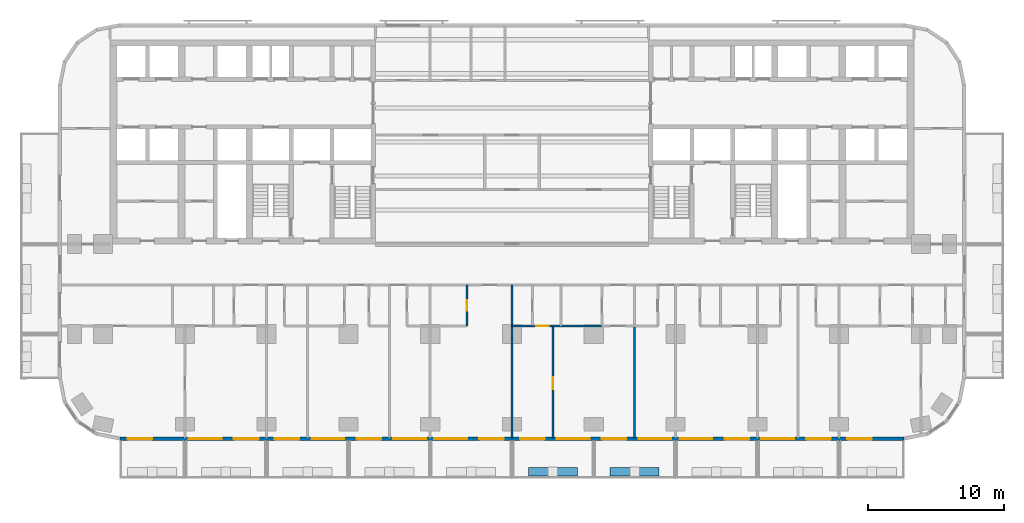
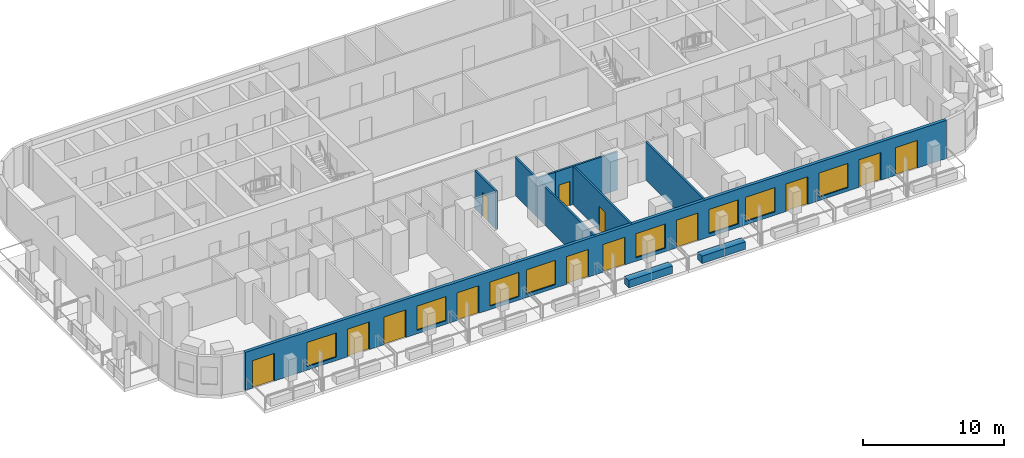
# One storey, part 5 of 15: 13 doors, 10 walls, 8 windows, 21 openings.
"""IFC4 building model written with IfcOpenShell, lengths in metres."""

from ifc_helpers import new_model, si_unit, direction, frame, frame_2d, origin, place, context, subcontext, project, spatial, rectangle, extrude, material, layer, layer_set, type_object, element, fill, save


model = new_model("IFC4")

# Units and contexts
model_context = context("Model", 3, precision=1e-05, world=origin(), true_north=direction((0.0, 1.0)))
body_context = subcontext(model_context, "Body", "Model", "MODEL_VIEW")
ifc_project = project(units=[si_unit("LENGTHUNIT", "METRE"), si_unit("AREAUNIT", "SQUARE_METRE"), si_unit("VOLUMEUNIT", "CUBIC_METRE"), si_unit("PLANEANGLEUNIT", "RADIAN"), si_unit("MASSUNIT", "GRAM", prefix="KILO")], contexts=[model_context])

# Site, building, storey
site_placement = place(None, origin())
site = spatial("IfcSite", under=ifc_project, at=site_placement, CompositionType="ELEMENT")
building_placement = place(site_placement, origin())
building = spatial("IfcBuilding", under=site, at=building_placement, Name="Torana Hotel and Residences", CompositionType="ELEMENT")
storey_placement = place(building_placement, frame((0.0, 0.0, 67.199951171875)))
storey = spatial("IfcBuildingStorey", under=building, at=storey_placement, Name="L16", CompositionType="ELEMENT", Elevation=67.199951171875)

# Wall, openings, doors, windows
ifc_material_1 = material(Name="Black aluminium composite panel", Category="aluminium")
ifc_layer_1 = layer(ifc_material_1, 0.00390625, Name="Cladding", Category="cladding")
ifc_material_2 = material(Name="Ventilated air cavity")
ifc_layer_2 = layer(ifc_material_2, 0.0400390625, Name="Ventilated cavity", Category="cavity")
ifc_material_3 = material(Name="Mineral wool insulation")
ifc_layer_3 = layer(ifc_material_3, 0.090087890625, Name="Insulation", Category="insulation")
ifc_material_4 = material(Name="Steel S280GD", Category="steel")
ifc_layer_4 = layer(ifc_material_4, 0.092041015625, Name="Steel stud frame", Category="structure")
ifc_material_5 = material(Name="Fire rated plasterboard")
ifc_layer_5 = layer(ifc_material_5, 0.011962890625, Name="Inner board", Category="finish")
ifc_layer_6 = layer(ifc_material_5, 0.011962890625, Name="Second board", Category="finish")
ifc_layer_set_1 = layer_set([ifc_layer_1, ifc_layer_2, ifc_layer_3, ifc_layer_4, ifc_layer_5, ifc_layer_6], Name="EW1 EXTERNAL WALL BLACK METAL CLAD 250")
wall_type_1 = type_object("IfcWallType", Name="EW1 EXTERNAL WALL BLACK METAL CLAD 250", PredefinedType="SOLIDWALL", material=ifc_layer_set_1)
wall_1_placement = place(storey_placement, frame((-28.775390625, -29.27490234375, 0.0), z_axis=(0.0, 0.0, 1.0), x_axis=(1.0, 0.0, 0.0)))
wall_1 = element("IfcWall", 1, at=wall_1_placement, inside=storey, type_object=wall_type_1, Name="External wall L16 e0.14", PredefinedType="SOLIDWALL", context=body_context, shape_type="SweptSolid", body=[
    extrude(rectangle(XDim=57.55078125, YDim=0.25, at=frame_2d((28.775390625, 0.0))), origin(), (0.0, 0.0, 1.0), 3.320068359375),
])
opening_1_placement = place(wall_1_placement, frame((0.575439453125, 0.0, 0.0)))
opening_1 = element("IfcOpeningElement", 2, at=opening_1_placement, cuts=wall_1, Name="Opening L16-E01", PredefinedType="OPENING", context=body_context, shape_type="SweptSolid", body=[
    extrude(rectangle(XDim=1.800048828125, YDim=2.39990234375, at=frame_2d((0.89990234375, 1.199951171875))), frame((0.0, 0.135009765625, 0.0), z_axis=(0.0, -1.0, 0.0), x_axis=(1.0, 0.0, 0.0)), (0.0, 0.0, 1.0), 0.27001953125),
])
opening_2_placement = place(wall_1_placement, frame((5.075439453125, 0.0, 0.300048828125)))
opening_2 = element("IfcOpeningElement", 3, at=opening_2_placement, cuts=wall_1, Name="Opening W1", PredefinedType="OPENING", context=body_context, shape_type="SweptSolid", body=[
    extrude(rectangle(XDim=2.39990234375, YDim=2.10009765625, at=frame_2d((1.199951171875, 1.050048828125))), frame((0.0, 0.135009765625, 0.0), z_axis=(0.0, -1.0, 0.0), x_axis=(1.0, 0.0, 0.0)), (0.0, 0.0, 1.0), 0.27001953125),
])
opening_3_placement = place(wall_1_placement, frame((8.37548828125, 0.0, 0.0)))
opening_3 = element("IfcOpeningElement", 4, at=opening_3_placement, cuts=wall_1, Name="Opening L16-E02", PredefinedType="OPENING", context=body_context, shape_type="SweptSolid", body=[
    extrude(rectangle(XDim=1.800048828125, YDim=2.39990234375, at=frame_2d((0.89990234375, 1.199951171875))), frame((0.0, 0.135009765625, 0.0), z_axis=(0.0, -1.0, 0.0), x_axis=(1.0, 0.0, 0.0)), (0.0, 0.0, 1.0), 0.27001953125),
])
opening_4_placement = place(wall_1_placement, frame((11.37548828125, 0.0, 0.0)))
opening_4 = element("IfcOpeningElement", 5, at=opening_4_placement, cuts=wall_1, Name="Opening L16-E03", PredefinedType="OPENING", context=body_context, shape_type="SweptSolid", body=[
    extrude(rectangle(XDim=1.800048828125, YDim=2.39990234375, at=frame_2d((0.89990234375, 1.199951171875))), frame((0.0, 0.135009765625, 0.0), z_axis=(0.0, -1.0, 0.0), x_axis=(1.0, 0.0, 0.0)), (0.0, 0.0, 1.0), 0.27001953125),
])
opening_5_placement = place(wall_1_placement, frame((14.075439453125, 0.0, 0.300048828125)))
opening_5 = element("IfcOpeningElement", 6, at=opening_5_placement, cuts=wall_1, Name="Opening W1", PredefinedType="OPENING", context=body_context, shape_type="SweptSolid", body=[
    extrude(rectangle(XDim=2.39990234375, YDim=2.10009765625, at=frame_2d((1.199951171875, 1.050048828125))), frame((0.0, 0.135009765625, 0.0), z_axis=(0.0, -1.0, 0.0), x_axis=(1.0, 0.0, 0.0)), (0.0, 0.0, 1.0), 0.27001953125),
])
opening_6_placement = place(wall_1_placement, frame((17.37548828125, 0.0, 0.0)))
opening_6 = element("IfcOpeningElement", 7, at=opening_6_placement, cuts=wall_1, Name="Opening L16-E04", PredefinedType="OPENING", context=body_context, shape_type="SweptSolid", body=[
    extrude(rectangle(XDim=1.800048828125, YDim=2.39990234375, at=frame_2d((0.89990234375, 1.199951171875))), frame((0.0, 0.135009765625, 0.0), z_axis=(0.0, -1.0, 0.0), x_axis=(1.0, 0.0, 0.0)), (0.0, 0.0, 1.0), 0.27001953125),
])
opening_7_placement = place(wall_1_placement, frame((20.075439453125, 0.0, 0.300048828125)))
opening_7 = element("IfcOpeningElement", 8, at=opening_7_placement, cuts=wall_1, Name="Opening W1", PredefinedType="OPENING", context=body_context, shape_type="SweptSolid", body=[
    extrude(rectangle(XDim=2.39990234375, YDim=2.10009765625, at=frame_2d((1.199951171875, 1.050048828125))), frame((0.0, 0.135009765625, 0.0), z_axis=(0.0, -1.0, 0.0), x_axis=(1.0, 0.0, 0.0)), (0.0, 0.0, 1.0), 0.27001953125),
])
opening_8_placement = place(wall_1_placement, frame((23.075439453125, 0.0, 0.300048828125)))
opening_8 = element("IfcOpeningElement", 9, at=opening_8_placement, cuts=wall_1, Name="Opening W1", PredefinedType="OPENING", context=body_context, shape_type="SweptSolid", body=[
    extrude(rectangle(XDim=2.39990234375, YDim=2.10009765625, at=frame_2d((1.199951171875, 1.050048828125))), frame((0.0, 0.135009765625, 0.0), z_axis=(0.0, -1.0, 0.0), x_axis=(1.0, 0.0, 0.0)), (0.0, 0.0, 1.0), 0.27001953125),
])
opening_9_placement = place(wall_1_placement, frame((26.37548828125, 0.0, 0.0)))
opening_9 = element("IfcOpeningElement", 10, at=opening_9_placement, cuts=wall_1, Name="Opening L16-E05", PredefinedType="OPENING", context=body_context, shape_type="SweptSolid", body=[
    extrude(rectangle(XDim=1.800048828125, YDim=2.39990234375, at=frame_2d((0.89990234375, 1.199951171875))), frame((0.0, 0.135009765625, 0.0), z_axis=(0.0, -1.0, 0.0), x_axis=(1.0, 0.0, 0.0)), (0.0, 0.0, 1.0), 0.27001953125),
])
opening_10_placement = place(wall_1_placement, frame((29.37548828125, 0.0, 0.0)))
opening_10 = element("IfcOpeningElement", 11, at=opening_10_placement, cuts=wall_1, Name="Opening L16-E06", PredefinedType="OPENING", context=body_context, shape_type="SweptSolid", body=[
    extrude(rectangle(XDim=1.800048828125, YDim=2.39990234375, at=frame_2d((0.89990234375, 1.199951171875))), frame((0.0, 0.135009765625, 0.0), z_axis=(0.0, -1.0, 0.0), x_axis=(1.0, 0.0, 0.0)), (0.0, 0.0, 1.0), 0.27001953125),
])
opening_11_placement = place(wall_1_placement, frame((32.075439453125, 0.0, 0.300048828125)))
opening_11 = element("IfcOpeningElement", 12, at=opening_11_placement, cuts=wall_1, Name="Opening W1", PredefinedType="OPENING", context=body_context, shape_type="SweptSolid", body=[
    extrude(rectangle(XDim=2.39990234375, YDim=2.10009765625, at=frame_2d((1.199951171875, 1.050048828125))), frame((0.0, 0.135009765625, 0.0), z_axis=(0.0, -1.0, 0.0), x_axis=(1.0, 0.0, 0.0)), (0.0, 0.0, 1.0), 0.27001953125),
])
opening_12_placement = place(wall_1_placement, frame((35.37548828125, 0.0, 0.0)))
opening_12 = element("IfcOpeningElement", 13, at=opening_12_placement, cuts=wall_1, Name="Opening L16-E07", PredefinedType="OPENING", context=body_context, shape_type="SweptSolid", body=[
    extrude(rectangle(XDim=1.800048828125, YDim=2.39990234375, at=frame_2d((0.89990234375, 1.199951171875))), frame((0.0, 0.135009765625, 0.0), z_axis=(0.0, -1.0, 0.0), x_axis=(1.0, 0.0, 0.0)), (0.0, 0.0, 1.0), 0.27001953125),
])
opening_13_placement = place(wall_1_placement, frame((38.075439453125, 0.0, 0.300048828125)))
opening_13 = element("IfcOpeningElement", 14, at=opening_13_placement, cuts=wall_1, Name="Opening W1", PredefinedType="OPENING", context=body_context, shape_type="SweptSolid", body=[
    extrude(rectangle(XDim=2.39990234375, YDim=2.10009765625, at=frame_2d((1.199951171875, 1.050048828125))), frame((0.0, 0.135009765625, 0.0), z_axis=(0.0, -1.0, 0.0), x_axis=(1.0, 0.0, 0.0)), (0.0, 0.0, 1.0), 0.27001953125),
])
opening_14_placement = place(wall_1_placement, frame((41.075439453125, 0.0, 0.300048828125)))
opening_14 = element("IfcOpeningElement", 15, at=opening_14_placement, cuts=wall_1, Name="Opening W1", PredefinedType="OPENING", context=body_context, shape_type="SweptSolid", body=[
    extrude(rectangle(XDim=2.39990234375, YDim=2.10009765625, at=frame_2d((1.199951171875, 1.050048828125))), frame((0.0, 0.135009765625, 0.0), z_axis=(0.0, -1.0, 0.0), x_axis=(1.0, 0.0, 0.0)), (0.0, 0.0, 1.0), 0.27001953125),
])
opening_15_placement = place(wall_1_placement, frame((44.37548828125, 0.0, 0.0)))
opening_15 = element("IfcOpeningElement", 16, at=opening_15_placement, cuts=wall_1, Name="Opening L16-E08", PredefinedType="OPENING", context=body_context, shape_type="SweptSolid", body=[
    extrude(rectangle(XDim=1.800048828125, YDim=2.39990234375, at=frame_2d((0.89990234375, 1.199951171875))), frame((0.0, 0.135009765625, 0.0), z_axis=(0.0, -1.0, 0.0), x_axis=(1.0, 0.0, 0.0)), (0.0, 0.0, 1.0), 0.27001953125),
])
opening_16_placement = place(wall_1_placement, frame((47.075439453125, 0.0, 0.300048828125)))
opening_16 = element("IfcOpeningElement", 17, at=opening_16_placement, cuts=wall_1, Name="Opening W1", PredefinedType="OPENING", context=body_context, shape_type="SweptSolid", body=[
    extrude(rectangle(XDim=2.39990234375, YDim=2.10009765625, at=frame_2d((1.199951171875, 1.050048828125))), frame((0.0, 0.135009765625, 0.0), z_axis=(0.0, -1.0, 0.0), x_axis=(1.0, 0.0, 0.0)), (0.0, 0.0, 1.0), 0.27001953125),
])
opening_17_placement = place(wall_1_placement, frame((50.37548828125, 0.0, 0.0)))
opening_17 = element("IfcOpeningElement", 18, at=opening_17_placement, cuts=wall_1, Name="Opening L16-E09", PredefinedType="OPENING", context=body_context, shape_type="SweptSolid", body=[
    extrude(rectangle(XDim=1.800048828125, YDim=2.39990234375, at=frame_2d((0.89990234375, 1.199951171875))), frame((0.0, 0.135009765625, 0.0), z_axis=(0.0, -1.0, 0.0), x_axis=(1.0, 0.0, 0.0)), (0.0, 0.0, 1.0), 0.27001953125),
])
opening_18_placement = place(wall_1_placement, frame((53.37548828125, 0.0, 0.0)))
opening_18 = element("IfcOpeningElement", 19, at=opening_18_placement, cuts=wall_1, Name="Opening L16-E10", PredefinedType="OPENING", context=body_context, shape_type="SweptSolid", body=[
    extrude(rectangle(XDim=1.800048828125, YDim=2.39990234375, at=frame_2d((0.89990234375, 1.199951171875))), frame((0.0, 0.135009765625, 0.0), z_axis=(0.0, -1.0, 0.0), x_axis=(1.0, 0.0, 0.0)), (0.0, 0.0, 1.0), 0.27001953125),
])
ifc_material_6 = material(Name="Dark glass in black aluminium frame", Category="aluminium")
door_type_1 = type_object("IfcDoorType", Name="DB1 BALCONY DOOR 1800x2400", OperationType="DOUBLE_DOOR_SINGLE_SWING", PredefinedType="DOOR", material=ifc_material_6)
door_1_placement = place(opening_1_placement, origin())
door_1 = element("IfcDoor", 20, at=door_1_placement, inside=storey, type_object=door_type_1, Name="Balcony door L16", OperationType="DOUBLE_DOOR_SINGLE_SWING", OverallHeight=2.39990234375, OverallWidth=1.800048828125, PredefinedType="DOOR", context=body_context, shape_type="SweptSolid", body=[
    extrude(rectangle(XDim=1.800048828125, YDim=2.39990234375, at=frame_2d((0.89990234375, 1.199951171875))), frame((0.0, 0.02490234375, 0.0), z_axis=(0.0, -1.0, 0.0), x_axis=(1.0, 0.0, 0.0)), (0.0, 0.0, 1.0), 0.050048828125),
])
fill(opening_1, door_1)
door_2_placement = place(opening_3_placement, frame((0.89990234375, 0.0, 0.0), z_axis=(0.0, 0.0, 1.0), x_axis=(-1.0, 0.0, 0.0)))
door_2 = element("IfcDoor", 21, at=door_2_placement, inside=storey, type_object=door_type_1, Name="Balcony door L16", OperationType="DOUBLE_DOOR_SINGLE_SWING", OverallHeight=2.39990234375, OverallWidth=1.800048828125, PredefinedType="DOOR", context=body_context, shape_type="SweptSolid", body=[
    extrude(rectangle(XDim=1.800048828125, YDim=2.39990234375, at=frame_2d((0.0, 1.199951171875))), frame((0.0, -0.02490234375, 0.0), z_axis=(0.0, 1.0, 0.0), x_axis=(-1.0, 0.0, 0.0)), (0.0, 0.0, 1.0), 0.050048828125),
])
fill(opening_3, door_2)
door_3_placement = place(opening_4_placement, frame((0.89990234375, 0.0, 0.0), z_axis=(0.0, 0.0, 1.0), x_axis=(-1.0, 0.0, 0.0)))
door_3 = element("IfcDoor", 22, at=door_3_placement, inside=storey, type_object=door_type_1, Name="Balcony door L16", OperationType="DOUBLE_DOOR_SINGLE_SWING", OverallHeight=2.39990234375, OverallWidth=1.800048828125, PredefinedType="DOOR", context=body_context, shape_type="SweptSolid", body=[
    extrude(rectangle(XDim=1.800048828125, YDim=2.39990234375, at=frame_2d((0.0, 1.199951171875))), frame((0.0, -0.02490234375, 0.0), z_axis=(0.0, 1.0, 0.0), x_axis=(-1.0, 0.0, 0.0)), (0.0, 0.0, 1.0), 0.050048828125),
])
fill(opening_4, door_3)
door_4_placement = place(opening_6_placement, frame((0.89990234375, 0.0, 0.0), z_axis=(0.0, 0.0, 1.0), x_axis=(-1.0, 0.0, 0.0)))
door_4 = element("IfcDoor", 23, at=door_4_placement, inside=storey, type_object=door_type_1, Name="Balcony door L16", OperationType="DOUBLE_DOOR_SINGLE_SWING", OverallHeight=2.39990234375, OverallWidth=1.800048828125, PredefinedType="DOOR", context=body_context, shape_type="SweptSolid", body=[
    extrude(rectangle(XDim=1.800048828125, YDim=2.39990234375, at=frame_2d((0.0, 1.199951171875))), frame((0.0, -0.02490234375, 0.0), z_axis=(0.0, 1.0, 0.0), x_axis=(-1.0, 0.0, 0.0)), (0.0, 0.0, 1.0), 0.050048828125),
])
fill(opening_6, door_4)
door_5_placement = place(opening_9_placement, frame((0.89990234375, 0.0, 0.0), z_axis=(0.0, 0.0, 1.0), x_axis=(-1.0, 0.0, 0.0)))
door_5 = element("IfcDoor", 24, at=door_5_placement, inside=storey, type_object=door_type_1, Name="Balcony door L16", OperationType="DOUBLE_DOOR_SINGLE_SWING", OverallHeight=2.39990234375, OverallWidth=1.800048828125, PredefinedType="DOOR", context=body_context, shape_type="SweptSolid", body=[
    extrude(rectangle(XDim=1.800048828125, YDim=2.39990234375, at=frame_2d((0.0, 1.199951171875))), frame((0.0, -0.02490234375, 0.0), z_axis=(0.0, 1.0, 0.0), x_axis=(-1.0, 0.0, 0.0)), (0.0, 0.0, 1.0), 0.050048828125),
])
fill(opening_9, door_5)
door_6_placement = place(opening_10_placement, frame((0.89990234375, 0.0, 0.0), z_axis=(0.0, 0.0, 1.0), x_axis=(-1.0, 0.0, 0.0)))
door_6 = element("IfcDoor", 25, at=door_6_placement, inside=storey, type_object=door_type_1, Name="Balcony door L16", OperationType="DOUBLE_DOOR_SINGLE_SWING", OverallHeight=2.39990234375, OverallWidth=1.800048828125, PredefinedType="DOOR", context=body_context, shape_type="SweptSolid", body=[
    extrude(rectangle(XDim=1.800048828125, YDim=2.39990234375, at=frame_2d((0.0, 1.199951171875))), frame((0.0, -0.02490234375, 0.0), z_axis=(0.0, 1.0, 0.0), x_axis=(-1.0, 0.0, 0.0)), (0.0, 0.0, 1.0), 0.050048828125),
])
fill(opening_10, door_6)
door_7_placement = place(opening_12_placement, frame((0.89990234375, 0.0, 0.0), z_axis=(0.0, 0.0, 1.0), x_axis=(-1.0, 0.0, 0.0)))
door_7 = element("IfcDoor", 26, at=door_7_placement, inside=storey, type_object=door_type_1, Name="Balcony door L16", OperationType="DOUBLE_DOOR_SINGLE_SWING", OverallHeight=2.39990234375, OverallWidth=1.800048828125, PredefinedType="DOOR", context=body_context, shape_type="SweptSolid", body=[
    extrude(rectangle(XDim=1.800048828125, YDim=2.39990234375, at=frame_2d((0.0, 1.199951171875))), frame((0.0, -0.02490234375, 0.0), z_axis=(0.0, 1.0, 0.0), x_axis=(-1.0, 0.0, 0.0)), (0.0, 0.0, 1.0), 0.050048828125),
])
fill(opening_12, door_7)
door_8_placement = place(opening_15_placement, frame((0.89990234375, 0.0, 0.0), z_axis=(0.0, 0.0, 1.0), x_axis=(-1.0, 0.0, 0.0)))
door_8 = element("IfcDoor", 27, at=door_8_placement, inside=storey, type_object=door_type_1, Name="Balcony door L16", OperationType="DOUBLE_DOOR_SINGLE_SWING", OverallHeight=2.39990234375, OverallWidth=1.800048828125, PredefinedType="DOOR", context=body_context, shape_type="SweptSolid", body=[
    extrude(rectangle(XDim=1.800048828125, YDim=2.39990234375, at=frame_2d((0.0, 1.199951171875))), frame((0.0, -0.02490234375, 0.0), z_axis=(0.0, 1.0, 0.0), x_axis=(-1.0, 0.0, 0.0)), (0.0, 0.0, 1.0), 0.050048828125),
])
fill(opening_15, door_8)
door_9_placement = place(opening_17_placement, frame((0.89990234375, 0.0, 0.0), z_axis=(0.0, 0.0, 1.0), x_axis=(-1.0, 0.0, 0.0)))
door_9 = element("IfcDoor", 28, at=door_9_placement, inside=storey, type_object=door_type_1, Name="Balcony door L16", OperationType="DOUBLE_DOOR_SINGLE_SWING", OverallHeight=2.39990234375, OverallWidth=1.800048828125, PredefinedType="DOOR", context=body_context, shape_type="SweptSolid", body=[
    extrude(rectangle(XDim=1.800048828125, YDim=2.39990234375, at=frame_2d((0.0, 1.199951171875))), frame((0.0, -0.02490234375, 0.0), z_axis=(0.0, 1.0, 0.0), x_axis=(-1.0, 0.0, 0.0)), (0.0, 0.0, 1.0), 0.050048828125),
])
fill(opening_17, door_9)
door_10_placement = place(opening_18_placement, frame((0.89990234375, 0.0, 0.0), z_axis=(0.0, 0.0, 1.0), x_axis=(-1.0, 0.0, 0.0)))
door_10 = element("IfcDoor", 29, at=door_10_placement, inside=storey, type_object=door_type_1, Name="Balcony door L16", OperationType="DOUBLE_DOOR_SINGLE_SWING", OverallHeight=2.39990234375, OverallWidth=1.800048828125, PredefinedType="DOOR", context=body_context, shape_type="SweptSolid", body=[
    extrude(rectangle(XDim=1.800048828125, YDim=2.39990234375, at=frame_2d((0.0, 1.199951171875))), frame((0.0, -0.02490234375, 0.0), z_axis=(0.0, 1.0, 0.0), x_axis=(-1.0, 0.0, 0.0)), (0.0, 0.0, 1.0), 0.050048828125),
])
fill(opening_18, door_10)
ifc_material_7 = material(Name="Dark glass in black aluminium frame", Category="aluminium")
window_type = type_object("IfcWindowType", Name="W1 HOTEL ROOM WINDOW 2400x2100", PartitioningType="SINGLE_PANEL", PredefinedType="WINDOW", material=ifc_material_7)
window_1_placement = place(opening_2_placement, origin())
window_1 = element("IfcWindow", 30, at=window_1_placement, inside=storey, type_object=window_type, Name="Window L16", OverallHeight=2.10009765625, OverallWidth=2.39990234375, PartitioningType="SINGLE_PANEL", PredefinedType="WINDOW", context=body_context, shape_type="SweptSolid", body=[
    extrude(rectangle(XDim=2.39990234375, YDim=2.10009765625, at=frame_2d((1.199951171875, 1.050048828125))), frame((0.0, 0.030029296875, 0.0), z_axis=(0.0, -1.0, 0.0), x_axis=(1.0, 0.0, 0.0)), (0.0, 0.0, 1.0), 0.06005859375),
])
fill(opening_2, window_1)
window_2_placement = place(opening_5_placement, origin())
window_2 = element("IfcWindow", 31, at=window_2_placement, inside=storey, type_object=window_type, Name="Window L16", OverallHeight=2.10009765625, OverallWidth=2.39990234375, PartitioningType="SINGLE_PANEL", PredefinedType="WINDOW", context=body_context, shape_type="SweptSolid", body=[
    extrude(rectangle(XDim=2.39990234375, YDim=2.10009765625, at=frame_2d((1.199951171875, 1.050048828125))), frame((0.0, 0.030029296875, 0.0), z_axis=(0.0, -1.0, 0.0), x_axis=(1.0, 0.0, 0.0)), (0.0, 0.0, 1.0), 0.06005859375),
])
fill(opening_5, window_2)
window_3_placement = place(opening_7_placement, origin())
window_3 = element("IfcWindow", 32, at=window_3_placement, inside=storey, type_object=window_type, Name="Window L16", OverallHeight=2.10009765625, OverallWidth=2.39990234375, PartitioningType="SINGLE_PANEL", PredefinedType="WINDOW", context=body_context, shape_type="SweptSolid", body=[
    extrude(rectangle(XDim=2.39990234375, YDim=2.10009765625, at=frame_2d((1.199951171875, 1.050048828125))), frame((0.0, 0.030029296875, 0.0), z_axis=(0.0, -1.0, 0.0), x_axis=(1.0, 0.0, 0.0)), (0.0, 0.0, 1.0), 0.06005859375),
])
fill(opening_7, window_3)
window_4_placement = place(opening_8_placement, origin())
window_4 = element("IfcWindow", 33, at=window_4_placement, inside=storey, type_object=window_type, Name="Window L16", OverallHeight=2.10009765625, OverallWidth=2.39990234375, PartitioningType="SINGLE_PANEL", PredefinedType="WINDOW", context=body_context, shape_type="SweptSolid", body=[
    extrude(rectangle(XDim=2.39990234375, YDim=2.10009765625, at=frame_2d((1.199951171875, 1.050048828125))), frame((0.0, 0.030029296875, 0.0), z_axis=(0.0, -1.0, 0.0), x_axis=(1.0, 0.0, 0.0)), (0.0, 0.0, 1.0), 0.06005859375),
])
fill(opening_8, window_4)
window_5_placement = place(opening_11_placement, origin())
window_5 = element("IfcWindow", 34, at=window_5_placement, inside=storey, type_object=window_type, Name="Window L16", OverallHeight=2.10009765625, OverallWidth=2.39990234375, PartitioningType="SINGLE_PANEL", PredefinedType="WINDOW", context=body_context, shape_type="SweptSolid", body=[
    extrude(rectangle(XDim=2.39990234375, YDim=2.10009765625, at=frame_2d((1.199951171875, 1.050048828125))), frame((0.0, 0.030029296875, 0.0), z_axis=(0.0, -1.0, 0.0), x_axis=(1.0, 0.0, 0.0)), (0.0, 0.0, 1.0), 0.06005859375),
])
fill(opening_11, window_5)
window_6_placement = place(opening_13_placement, origin())
window_6 = element("IfcWindow", 35, at=window_6_placement, inside=storey, type_object=window_type, Name="Window L16", OverallHeight=2.10009765625, OverallWidth=2.39990234375, PartitioningType="SINGLE_PANEL", PredefinedType="WINDOW", context=body_context, shape_type="SweptSolid", body=[
    extrude(rectangle(XDim=2.39990234375, YDim=2.10009765625, at=frame_2d((1.199951171875, 1.050048828125))), frame((0.0, 0.030029296875, 0.0), z_axis=(0.0, -1.0, 0.0), x_axis=(1.0, 0.0, 0.0)), (0.0, 0.0, 1.0), 0.06005859375),
])
fill(opening_13, window_6)
window_7_placement = place(opening_14_placement, origin())
window_7 = element("IfcWindow", 36, at=window_7_placement, inside=storey, type_object=window_type, Name="Window L16", OverallHeight=2.10009765625, OverallWidth=2.39990234375, PartitioningType="SINGLE_PANEL", PredefinedType="WINDOW", context=body_context, shape_type="SweptSolid", body=[
    extrude(rectangle(XDim=2.39990234375, YDim=2.10009765625, at=frame_2d((1.199951171875, 1.050048828125))), frame((0.0, 0.030029296875, 0.0), z_axis=(0.0, -1.0, 0.0), x_axis=(1.0, 0.0, 0.0)), (0.0, 0.0, 1.0), 0.06005859375),
])
fill(opening_14, window_7)
window_8_placement = place(opening_16_placement, origin())
window_8 = element("IfcWindow", 37, at=window_8_placement, inside=storey, type_object=window_type, Name="Window L16", OverallHeight=2.10009765625, OverallWidth=2.39990234375, PartitioningType="SINGLE_PANEL", PredefinedType="WINDOW", context=body_context, shape_type="SweptSolid", body=[
    extrude(rectangle(XDim=2.39990234375, YDim=2.10009765625, at=frame_2d((1.199951171875, 1.050048828125))), frame((0.0, 0.030029296875, 0.0), z_axis=(0.0, -1.0, 0.0), x_axis=(1.0, 0.0, 0.0)), (0.0, 0.0, 1.0), 0.06005859375),
])
fill(opening_16, window_8)

# Wall
ifc_material_8 = material(Name="Gypsum plasterboard")
ifc_layer_7 = layer(ifc_material_8, 0.012451171875, Name="Plasterboard", Category="finish")
ifc_layer_8 = layer(ifc_material_8, 0.012451171875, Name="Plasterboard", Category="finish")
ifc_layer_9 = layer(ifc_material_4, 0.10009765625, Name="Steel studs with mineral wool", Category="insulation")
ifc_layer_10 = layer(ifc_material_8, 0.012451171875, Name="Plasterboard", Category="finish")
ifc_layer_11 = layer(ifc_material_8, 0.012451171875, Name="Plasterboard", Category="finish")
ifc_layer_set_2 = layer_set([ifc_layer_7, ifc_layer_8, ifc_layer_9, ifc_layer_10, ifc_layer_11], Name="PARTITION 150 PLASTERBOARD")
wall_type_2 = type_object("IfcWallType", Name="PARTITION 150 PLASTERBOARD", PredefinedType="PARTITIONING", material=ifc_layer_set_2)
wall_2_placement = place(storey_placement, frame((9.0, -29.219970703125, 0.0), z_axis=(0.0, 0.0, 1.0), x_axis=(0.0, 1.0, 0.0)))
element("IfcWall", 38, at=wall_2_placement, inside=storey, type_object=wall_type_2, Name="Partition L16", PredefinedType="PARTITIONING", context=body_context, shape_type="SweptSolid", body=[
    extrude(rectangle(XDim=8.219970703125, YDim=0.14990234375, at=frame_2d((4.10986328125, 0.0))), origin(), (0.0, 0.0, 1.0), 3.320068359375),
])

# Wall, opening, door
wall_3_placement = place(storey_placement, frame((3.0, -29.219970703125, 0.0), z_axis=(0.0, 0.0, 1.0), x_axis=(0.0, 1.0, 0.0)))
wall_3 = element("IfcWall", 39, at=wall_3_placement, inside=storey, type_object=wall_type_2, Name="Partition L16", PredefinedType="PARTITIONING", context=body_context, shape_type="SweptSolid", body=[
    extrude(rectangle(XDim=8.219970703125, YDim=0.14990234375, at=frame_2d((4.10986328125, 0.0))), origin(), (0.0, 0.0, 1.0), 3.320068359375),
])
opening_19_placement = place(wall_3_placement, frame((3.570068359375, 0.0, 0.0)))
opening_19 = element("IfcOpeningElement", 40, at=opening_19_placement, cuts=wall_3, Name="Opening L16-70", PredefinedType="OPENING", context=body_context, shape_type="SweptSolid", body=[
    extrude(rectangle(XDim=0.89990234375, YDim=2.10009765625, at=frame_2d((0.449951171875, 1.050048828125))), frame((0.0, 0.0849609375, 0.0), z_axis=(0.0, -1.0, 0.0), x_axis=(1.0, 0.0, 0.0)), (0.0, 0.0, 1.0), 0.169921875),
])
ifc_material_9 = material(Name="Timber door, oiled ash", Category="wood")
door_type_2 = type_object("IfcDoorType", Name="ROOM DOOR D7 900x2100", OperationType="SINGLE_SWING_LEFT", PredefinedType="DOOR", material=ifc_material_9)
door_11_placement = place(opening_19_placement, origin())
door_11 = element("IfcDoor", 41, at=door_11_placement, inside=storey, type_object=door_type_2, Name="Door L16", OperationType="SINGLE_SWING_RIGHT", OverallHeight=2.10009765625, OverallWidth=0.89990234375, PredefinedType="DOOR", context=body_context, shape_type="SweptSolid", body=[
    extrude(rectangle(XDim=0.89990234375, YDim=2.10009765625, at=frame_2d((0.449951171875, 1.050048828125))), frame((0.0, 0.02490234375, 0.0), z_axis=(0.0, -1.0, 0.0), x_axis=(1.0, 0.0, 0.0)), (0.0, 0.0, 1.0), 0.050048828125),
])
fill(opening_19, door_11)

# Wall
wall_4_placement = place(storey_placement, frame((0.0, -29.219970703125, 0.0), z_axis=(0.0, 0.0, 1.0), x_axis=(0.0, 1.0, 0.0)))
element("IfcWall", 42, at=wall_4_placement, inside=storey, type_object=wall_type_2, Name="Partition L16", PredefinedType="PARTITIONING", context=body_context, shape_type="SweptSolid", body=[
    extrude(rectangle(XDim=8.219970703125, YDim=0.14990234375, at=frame_2d((4.10986328125, 0.0))), origin(), (0.0, 0.0, 1.0), 3.320068359375),
])

# Wall, opening, door
wall_5_placement = place(storey_placement, frame((-3.300048828125, -21.0, 0.0), z_axis=(0.0, 0.0, 1.0), x_axis=(0.0, 1.0, 0.0)))
wall_5 = element("IfcWall", 43, at=wall_5_placement, inside=storey, type_object=wall_type_2, Name="Partition L16", PredefinedType="PARTITIONING", context=body_context, shape_type="SweptSolid", body=[
    extrude(rectangle(XDim=3.0, YDim=0.14990234375, at=frame_2d((1.5, 0.0))), origin(), (0.0, 0.0, 1.0), 3.320068359375),
])
opening_20_placement = place(wall_5_placement, frame((1.10009765625, 0.0, 0.0)))
opening_20 = element("IfcOpeningElement", 44, at=opening_20_placement, cuts=wall_5, Name="Opening L16-65", PredefinedType="OPENING", context=body_context, shape_type="SweptSolid", body=[
    extrude(rectangle(XDim=0.800048828125, YDim=2.10009765625, at=frame_2d((0.39990234375, 1.050048828125))), frame((0.0, 0.0849609375, 0.0), z_axis=(0.0, -1.0, 0.0), x_axis=(1.0, 0.0, 0.0)), (0.0, 0.0, 1.0), 0.169921875),
])
ifc_material_10 = material(Name="Timber door, painted", Category="wood")
door_type_3 = type_object("IfcDoorType", Name="BATH DOOR D13 800x2100", OperationType="SINGLE_SWING_LEFT", PredefinedType="DOOR", material=ifc_material_10)
door_12_placement = place(opening_20_placement, origin())
door_12 = element("IfcDoor", 45, at=door_12_placement, inside=storey, type_object=door_type_3, Name="Door L16", OperationType="SINGLE_SWING_RIGHT", OverallHeight=2.10009765625, OverallWidth=0.800048828125, PredefinedType="DOOR", context=body_context, shape_type="SweptSolid", body=[
    extrude(rectangle(XDim=0.800048828125, YDim=2.10009765625, at=frame_2d((0.39990234375, 1.050048828125))), frame((0.0, 0.02490234375, 0.0), z_axis=(0.0, -1.0, 0.0), x_axis=(1.0, 0.0, 0.0)), (0.0, 0.0, 1.0), 0.050048828125),
])
fill(opening_20, door_12)

wall_6_placement = place(storey_placement, frame((1.5, -21.0, 0.0), z_axis=(0.0, 0.0, 1.0), x_axis=(1.0, 0.0, 0.0)))
wall_6 = element("IfcWall", 46, at=wall_6_placement, inside=storey, type_object=wall_type_2, Name="Partition L16", PredefinedType="PARTITIONING", context=body_context, shape_type="SweptSolid", body=[
    extrude(rectangle(XDim=5.10009765625, YDim=0.14990234375, at=frame_2d((2.550048828125, 0.0))), origin(), (0.0, 0.0, 1.0), 3.320068359375),
])
opening_21_placement = place(wall_6_placement, frame((0.280029296875, 0.0, 0.0)))
opening_21 = element("IfcOpeningElement", 47, at=opening_21_placement, cuts=wall_6, Name="Opening L16-67", PredefinedType="OPENING", context=body_context, shape_type="SweptSolid", body=[
    extrude(rectangle(XDim=0.89990234375, YDim=2.10009765625, at=frame_2d((0.449951171875, 1.050048828125))), frame((0.0, 0.0849609375, 0.0), z_axis=(0.0, -1.0, 0.0), x_axis=(1.0, 0.0, 0.0)), (0.0, 0.0, 1.0), 0.169921875),
])
door_13_placement = place(opening_21_placement, origin())
door_13 = element("IfcDoor", 48, at=door_13_placement, inside=storey, type_object=door_type_2, Name="Door L16", OperationType="SINGLE_SWING_RIGHT", OverallHeight=2.10009765625, OverallWidth=0.89990234375, PredefinedType="DOOR", context=body_context, shape_type="SweptSolid", body=[
    extrude(rectangle(XDim=0.89990234375, YDim=2.10009765625, at=frame_2d((0.449951171875, 1.050048828125))), frame((0.0, 0.02490234375, 0.0), z_axis=(0.0, -1.0, 0.0), x_axis=(1.0, 0.0, 0.0)), (0.0, 0.0, 1.0), 0.050048828125),
])
fill(opening_21, door_13)

# Walls
ifc_material_11 = material(Name="Concrete C40/50 precast", Category="concrete")
ifc_layer_12 = layer(ifc_material_11, 0.10009765625, Name="Planter shell", Category="structure")
ifc_material_12 = material(Name="Root resistant membrane")
ifc_layer_13 = layer(ifc_material_12, 0.00390625, Name="Waterproofing membrane", Category="membrane")
ifc_material_13 = material(Name="Drainage board with filter fleece")
ifc_layer_14 = layer(ifc_material_13, 0.02001953125, Name="Drainage board", Category="drainage")
ifc_material_14 = material(Name="Growing medium")
ifc_layer_15 = layer(ifc_material_14, 0.47607421875, Name="Planting substrate", Category="soil")
ifc_layer_set_3 = layer_set([ifc_layer_12, ifc_layer_13, ifc_layer_14, ifc_layer_15], Name="PL1 BALCONY PLANTER 600")
wall_type_3 = type_object("IfcWallType", Name="PL1 BALCONY PLANTER 600", PredefinedType="USERDEFINED", material=ifc_layer_set_3)
for number, where, z_axis, x_axis, name in (
    (49, (4.800048828125, -31.699951171875, 0.0), (0.0, 0.0, 1.0), (-1.0, 0.0, 0.0), "Planter 06"),
    (50, (10.800048828125, -31.699951171875, 0.0), (0.0, 0.0, 1.0), (-1.0, 0.0, 0.0), "Planter 07"),
):
    element("IfcWall", number, at=place(storey_placement, frame(where, z_axis=z_axis, x_axis=x_axis)), inside=storey, type_object=wall_type_3, Name=name, ObjectType="PLANTER", PredefinedType="USERDEFINED", context=body_context, shape_type="SweptSolid", body=[
        extrude(rectangle(XDim=3.60009765625, YDim=0.60009765625, at=frame_2d((1.800048828125, 0.0))), origin(), (0.0, 0.0, 1.0), 0.650146484375),
    ])
ifc_material_15 = material(Name="Ceramic tile on adhesive")
ifc_layer_16 = layer(ifc_material_15, 0.010009765625, Name="Wall tile", Category="finish")
ifc_material_16 = material(Name="Cement render")
ifc_layer_17 = layer(ifc_material_16, 0.010009765625, Name="Render", Category="finish")
ifc_material_17 = material(Name="Concrete blockwork", Category="masonry")
ifc_layer_18 = layer(ifc_material_17, 0.110107421875, Name="Blockwork", Category="structure")
ifc_layer_19 = layer(ifc_material_16, 0.010009765625, Name="Render", Category="finish")
ifc_layer_20 = layer(ifc_material_15, 0.010009765625, Name="Wall tile", Category="finish")
ifc_layer_set_4 = layer_set([ifc_layer_16, ifc_layer_17, ifc_layer_18, ifc_layer_19, ifc_layer_20], Name="WC PARTITION 150")
wall_type_4 = type_object("IfcWallType", Name="WC PARTITION 150", PredefinedType="PLUMBINGWALL", material=ifc_layer_set_4)
wall_7_placement = place(storey_placement, frame((0.0, -21.0, 0.0), z_axis=(0.0, 0.0, 1.0), x_axis=(0.0, 1.0, 0.0)))
element("IfcWall", 51, at=wall_7_placement, inside=storey, type_object=wall_type_4, Name="Partition L16", PredefinedType="PLUMBINGWALL", context=body_context, shape_type="SweptSolid", body=[
    extrude(rectangle(XDim=3.0, YDim=0.14990234375, at=frame_2d((1.5, 0.0))), origin(), (0.0, 0.0, 1.0), 3.320068359375),
])
wall_8_placement = place(storey_placement, frame((0.0, -21.0, 0.0), z_axis=(0.0, 0.0, 1.0), x_axis=(1.0, 0.0, 0.0)))
element("IfcWall", 52, at=wall_8_placement, inside=storey, type_object=wall_type_4, Name="Partition L16", PredefinedType="PLUMBINGWALL", context=body_context, shape_type="SweptSolid", body=[
    extrude(rectangle(XDim=1.5, YDim=0.14990234375, at=frame_2d((0.75, 0.0))), origin(), (0.0, 0.0, 1.0), 3.320068359375),
])

save(model, "model.ifc")
